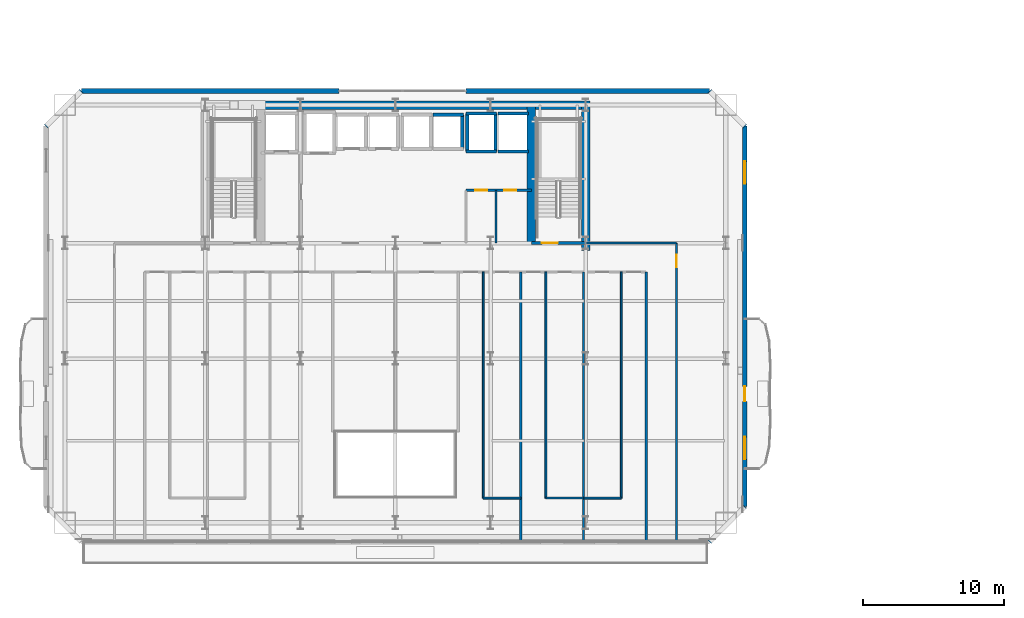
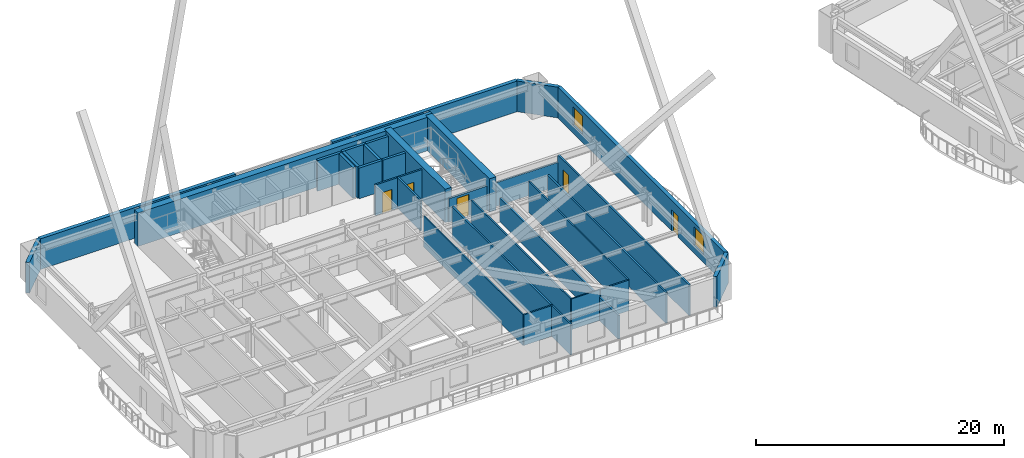
# One storey, part 12 of 22: 31 walls, 5 doors, 2 windows, 7 openings.
"""IFC4 building model written with IfcOpenShell, lengths in metres."""

from ifc_helpers import new_model, si_unit, direction, frame, frame_2d, origin, place, context, subcontext, project, spatial, rectangle, extrude, material, layer, layer_set, type_object, element, fill, save


model = new_model("IFC4")

# Units and contexts
model_context = context("Model", 3, precision=1e-05, world=origin(), true_north=direction((0.0, 1.0)))
body_context = subcontext(model_context, "Body", "Model", "MODEL_VIEW")
ifc_project = project(units=[si_unit("LENGTHUNIT", "METRE"), si_unit("AREAUNIT", "SQUARE_METRE"), si_unit("VOLUMEUNIT", "CUBIC_METRE"), si_unit("PLANEANGLEUNIT", "RADIAN"), si_unit("MASSUNIT", "GRAM", prefix="KILO")], contexts=[model_context])

# Site, building, storey
site_placement = place(None, origin())
site = spatial("IfcSite", under=ifc_project, at=site_placement, CompositionType="ELEMENT")
building_placement = place(site_placement, origin())
building = spatial("IfcBuilding", under=site, at=building_placement, Name="Haevon Station Towers", CompositionType="ELEMENT")
storey_placement = place(building_placement, frame((0.0, 0.0, 70.199951171875)))
storey = spatial("IfcBuildingStorey", under=building, at=storey_placement, Name="L18", CompositionType="ELEMENT", Elevation=70.199951171875)

# Wall, opening, door
ifc_material_1 = material(Name="Gypsum board on steel stud", Category="steel")
ifc_layer_1 = layer(ifc_material_1, 0.199951171875)
ifc_layer_set_1 = layer_set([ifc_layer_1], Name="Gypsum board on steel stud")
wall_type_1 = type_object("IfcWallType", Name="WL-COR200", PredefinedType="PARTITIONING", material=ifc_layer_set_1)
wall_1_placement = place(storey_placement, frame((47.14990234375, 38.199951171875, 0.0), z_axis=(0.0, 0.0, 1.0), x_axis=(1.0, 0.0, 0.0)))
wall_1 = element("IfcWall", 1, at=wall_1_placement, inside=storey, type_object=wall_type_1, Name="WL-ST-ST2-L18", PredefinedType="PARTITIONING", context=body_context, shape_type="SweptSolid", body=[
    extrude(rectangle(XDim=3.85009765625, YDim=0.199951171875, at=frame_2d((1.925048828125, 0.0))), origin(), (0.0, 0.0, 1.0), 2.330078125),
])
opening_1_placement = place(wall_1_placement, frame((0.75, 0.0, 0.0)))
opening_1 = element("IfcOpeningElement", 2, at=opening_1_placement, cuts=wall_1, Name="Opening DR-ST-ST2-L18", PredefinedType="OPENING", context=body_context, shape_type="SweptSolid", body=[
    extrude(rectangle(XDim=1.1201171875, YDim=2.10009765625, at=frame_2d((0.56005859375, 1.050048828125))), frame((0.0, 0.10986328125, 0.0), z_axis=(0.0, -1.0, 0.0), x_axis=(1.0, 0.0, 0.0)), (0.0, 0.0, 1.0), 0.219970703125),
])
ifc_material_2 = material(Name="Engineered oak timber", Category="wood")
door_type_1 = type_object("IfcDoorType", Name="DR-ST-1120", OperationType="NOTDEFINED", PredefinedType="DOOR", material=ifc_material_2)
door_1_placement = place(opening_1_placement, origin())
door_1 = element("IfcDoor", 3, at=door_1_placement, inside=storey, type_object=door_type_1, Name="L18 Escape Stair ST2 Fire Door", OperationType="SINGLE_SWING_LEFT", OverallHeight=2.10009765625, OverallWidth=1.1201171875, PredefinedType="DOOR", context=body_context, shape_type="SweptSolid", body=[
    extrude(rectangle(XDim=1.1201171875, YDim=2.10009765625, at=frame_2d((0.56005859375, 1.050048828125))), frame((0.0, 0.02490234375, 0.0), z_axis=(0.0, -1.0, 0.0), x_axis=(1.0, 0.0, 0.0)), (0.0, 0.0, 1.0), 0.050048828125),
])
fill(opening_1, door_1)

# Walls
ifc_material_3 = material(Name="Concrete C60/75", Category="concrete")
ifc_layer_2 = layer(ifc_material_3, 0.60009765625)
ifc_layer_set_2 = layer_set([ifc_layer_2], Name="Concrete C60/75")
wall_type_2 = type_object("IfcWallType", Name="WL-CR600", PredefinedType="SHEAR", material=ifc_layer_set_2)
wall_2_placement = place(storey_placement, frame((23.699951171875, 48.0, 0.0), z_axis=(0.0, 0.0, 1.0), x_axis=(1.0, 0.0, 0.0)))
element("IfcWall", 4, at=wall_2_placement, inside=storey, type_object=wall_type_2, Name="WL-T1CR-L18-N", PredefinedType="SHEAR", context=body_context, shape_type="SweptSolid", body=[
    extrude(rectangle(XDim=27.60009765625, YDim=0.60009765625, at=frame_2d((13.800048828125, 0.0))), origin(), (0.0, 0.0, 1.0), 3.300048828125),
])
wall_3_placement = place(storey_placement, frame((51.0, 37.679931640625, 0.0), z_axis=(0.0, 0.0, 1.0), x_axis=(0.0, 1.0, 0.0)))
element("IfcWall", 5, at=wall_3_placement, inside=storey, type_object=wall_type_2, Name="WL-T1CR-L18-E", PredefinedType="SHEAR", context=body_context, shape_type="SweptSolid", body=[
    extrude(rectangle(XDim=10.320068359375, YDim=0.60009765625, at=frame_2d((5.16015625, 0.0))), origin(), (0.0, 0.0, 1.0), 3.300048828125),
])
wall_4_placement = place(storey_placement, frame((47.14990234375, 38.199951171875, 0.0), z_axis=(0.0, 0.0, 1.0), x_axis=(0.0, 1.0, 0.0)))
element("IfcWall", 6, at=wall_4_placement, inside=storey, type_object=wall_type_2, Name="WL-T1CR-L18-M2", PredefinedType="SHEAR", context=body_context, shape_type="SweptSolid", body=[
    extrude(rectangle(XDim=9.800048828125, YDim=0.60009765625, at=frame_2d((4.89990234375, 0.0))), origin(), (0.0, 0.0, 1.0), 3.300048828125),
])
ifc_material_4 = material(Name="Precast concrete C45/55", Category="concrete")
ifc_layer_3 = layer(ifc_material_4, 0.340087890625)
ifc_layer_set_3 = layer_set([ifc_layer_3], Name="Precast concrete C45/55")
wall_type_3 = type_object("IfcWallType", Name="WL-EXT-PIER340", PredefinedType="SOLIDWALL", material=ifc_layer_set_3)
wall_5_placement = place(storey_placement, frame((12.699951171875, 46.5, 0.0), z_axis=(0.0, 0.0, 1.0), x_axis=(0.707106781187, 0.707106781187, 0.0)))
element("IfcWall", 7, at=wall_5_placement, inside=storey, type_object=wall_type_3, Name="WL-T1-L18-NWC", PredefinedType="SOLIDWALL", context=body_context, shape_type="SweptSolid", body=[
    extrude(rectangle(XDim=3.53564453125, YDim=0.340087890625, at=frame_2d((1.767822265625, 0.0))), origin(), (0.0, 0.0, 1.0), 3.030029296875),
])
wall_6_placement = place(storey_placement, frame((15.199951171875, 49.0, 0.0), z_axis=(0.0, 0.0, 1.0), x_axis=(1.0, 0.0, 0.0)))
element("IfcWall", 8, at=wall_6_placement, inside=storey, type_object=wall_type_3, Name="WL-T1-L18-N1", PredefinedType="SOLIDWALL", context=body_context, shape_type="SweptSolid", body=[
    extrude(rectangle(XDim=18.300048828125, YDim=0.340087890625, at=frame_2d((9.14990234375, 0.0))), origin(), (0.0, 0.0, 1.0), 3.030029296875),
])
wall_7_placement = place(storey_placement, frame((42.5, 49.0, 0.0), z_axis=(0.0, 0.0, 1.0), x_axis=(1.0, 0.0, 0.0)))
element("IfcWall", 9, at=wall_7_placement, inside=storey, type_object=wall_type_3, Name="WL-T1-L18-N2", PredefinedType="SOLIDWALL", context=body_context, shape_type="SweptSolid", body=[
    extrude(rectangle(XDim=17.300048828125, YDim=0.340087890625, at=frame_2d((8.64990234375, 0.0))), origin(), (0.0, 0.0, 1.0), 3.030029296875),
])
wall_8_placement = place(storey_placement, frame((59.800048828125, 49.0, 0.0), z_axis=(0.0, 0.0, 1.0), x_axis=(0.707106781187, -0.707106781187, 0.0)))
element("IfcWall", 10, at=wall_8_placement, inside=storey, type_object=wall_type_3, Name="WL-T1-L18-NEC", PredefinedType="SOLIDWALL", context=body_context, shape_type="SweptSolid", body=[
    extrude(rectangle(XDim=3.53564453125, YDim=0.340087890625, at=frame_2d((1.767822265625, 0.0))), origin(), (0.0, 0.0, 1.0), 3.030029296875),
])

# Wall, openings, door, windows
wall_9_placement = place(storey_placement, frame((62.300048828125, 46.5, 0.0), z_axis=(0.0, 0.0, 1.0), x_axis=(0.0, -1.0, 0.0)))
wall_9 = element("IfcWall", 11, at=wall_9_placement, inside=storey, type_object=wall_type_3, Name="WL-T1-L18-E", PredefinedType="SOLIDWALL", context=body_context, shape_type="SweptSolid", body=[
    extrude(rectangle(XDim=27.0, YDim=0.340087890625, at=frame_2d((13.5, 0.0))), origin(), (0.0, 0.0, 1.0), 3.030029296875),
])
opening_2_placement = place(wall_9_placement, frame((18.47509765625, 0.0, 0.0)))
opening_2 = element("IfcOpeningElement", 12, at=opening_2_placement, cuts=wall_9, Name="Opening DR-T1-SCAL-L18-E", PredefinedType="OPENING", context=body_context, shape_type="SweptSolid", body=[
    extrude(rectangle(XDim=1.050048828125, YDim=2.10009765625, at=frame_2d((0.52490234375, 1.050048828125))), frame((0.0, 0.179931640625, 0.0), z_axis=(0.0, -1.0, 0.0), x_axis=(1.0, 0.0, 0.0)), (0.0, 0.0, 1.0), 0.360107421875),
])
opening_3_placement = place(wall_9_placement, frame((2.5, 0.0, 0.800048828125)))
opening_3 = element("IfcOpeningElement", 13, at=opening_3_placement, cuts=wall_9, Name="Opening WN-END160", PredefinedType="OPENING", context=body_context, shape_type="SweptSolid", body=[
    extrude(rectangle(XDim=1.60009765625, YDim=1.800048828125, at=frame_2d((0.800048828125, 0.89990234375))), frame((0.0, 0.179931640625, 0.0), z_axis=(0.0, -1.0, 0.0), x_axis=(1.0, 0.0, 0.0)), (0.0, 0.0, 1.0), 0.360107421875),
])
opening_4_placement = place(wall_9_placement, frame((22.050048828125, 0.0, 0.800048828125)))
opening_4 = element("IfcOpeningElement", 14, at=opening_4_placement, cuts=wall_9, Name="Opening WN-END160", PredefinedType="OPENING", context=body_context, shape_type="SweptSolid", body=[
    extrude(rectangle(XDim=1.60009765625, YDim=1.800048828125, at=frame_2d((0.800048828125, 0.89990234375))), frame((0.0, 0.179931640625, 0.0), z_axis=(0.0, -1.0, 0.0), x_axis=(1.0, 0.0, 0.0)), (0.0, 0.0, 1.0), 0.360107421875),
])
ifc_material_5 = material(Name="Thermally broken anodised aluminium and laminated safety glass", Category="aluminium")
door_type_2 = type_object("IfcDoorType", Name="DR-BALC-1050", OperationType="NOTDEFINED", PredefinedType="DOOR", material=ifc_material_5)
door_2_placement = place(opening_2_placement, origin())
door_2 = element("IfcDoor", 15, at=door_2_placement, inside=storey, type_object=door_type_2, Name="Tower 1 L18 East Scalloped Balcony Door", OperationType="SINGLE_SWING_LEFT", OverallHeight=2.10009765625, OverallWidth=1.050048828125, PredefinedType="DOOR", context=body_context, shape_type="SweptSolid", body=[
    extrude(rectangle(XDim=1.050048828125, YDim=2.10009765625, at=frame_2d((0.52490234375, 1.050048828125))), frame((0.0, 0.02490234375, 0.0), z_axis=(0.0, -1.0, 0.0), x_axis=(1.0, 0.0, 0.0)), (0.0, 0.0, 1.0), 0.050048828125),
])
fill(opening_2, door_2)
ifc_material_6 = material(Name="Low-E triple glazing in thermally broken aluminium", Category="aluminium")
window_type = type_object("IfcWindowType", Name="WN-END160", PartitioningType="SINGLE_PANEL", PredefinedType="WINDOW", material=ifc_material_6)
window_1_placement = place(opening_3_placement, origin())
window_1 = element("IfcWindow", 16, at=window_1_placement, inside=storey, type_object=window_type, Name="WN-T1-L18-E01", OverallHeight=1.800048828125, OverallWidth=1.60009765625, PartitioningType="SINGLE_PANEL", PredefinedType="WINDOW", context=body_context, shape_type="SweptSolid", body=[
    extrude(rectangle(XDim=1.60009765625, YDim=1.800048828125, at=frame_2d((0.800048828125, 0.89990234375))), frame((0.0, 0.030029296875, 0.0), z_axis=(0.0, -1.0, 0.0), x_axis=(1.0, 0.0, 0.0)), (0.0, 0.0, 1.0), 0.06005859375),
])
fill(opening_3, window_1)
window_2_placement = place(opening_4_placement, origin())
window_2 = element("IfcWindow", 17, at=window_2_placement, inside=storey, type_object=window_type, Name="WN-T1-L18-E02", OverallHeight=1.800048828125, OverallWidth=1.60009765625, PartitioningType="SINGLE_PANEL", PredefinedType="WINDOW", context=body_context, shape_type="SweptSolid", body=[
    extrude(rectangle(XDim=1.60009765625, YDim=1.800048828125, at=frame_2d((0.800048828125, 0.89990234375))), frame((0.0, 0.030029296875, 0.0), z_axis=(0.0, -1.0, 0.0), x_axis=(1.0, 0.0, 0.0)), (0.0, 0.0, 1.0), 0.06005859375),
])
fill(opening_4, window_2)

# Walls
wall_10_placement = place(storey_placement, frame((62.300048828125, 19.5, 0.0), z_axis=(0.0, 0.0, 1.0), x_axis=(-0.707106781187, -0.707106781187, 0.0)))
element("IfcWall", 18, at=wall_10_placement, inside=storey, type_object=wall_type_3, Name="WL-T1-L18-SEC", PredefinedType="SOLIDWALL", context=body_context, shape_type="SweptSolid", body=[
    extrude(rectangle(XDim=3.53564453125, YDim=0.340087890625, at=frame_2d((1.767822265625, 0.0))), origin(), (0.0, 0.0, 1.0), 3.030029296875),
])
ifc_layer_4 = layer(ifc_material_1, 0.125)
ifc_layer_set_4 = layer_set([ifc_layer_4], Name="Gypsum board on steel stud")
wall_type_4 = type_object("IfcWallType", Name="WL-PRT125", PredefinedType="PARTITIONING", material=ifc_layer_set_4)
wall_11_placement = place(storey_placement, frame((43.72998046875, 20.10009765625, 0.0), z_axis=(0.0, 0.0, 1.0), x_axis=(0.0, 1.0, 0.0)))
element("IfcWall", 19, at=wall_11_placement, inside=storey, type_object=wall_type_4, Name="WL-T1PT-L18-23", PredefinedType="PARTITIONING", context=body_context, shape_type="SweptSolid", body=[
    extrude(rectangle(XDim=16.0498046875, YDim=0.125, at=frame_2d((8.02490234375, 0.0))), origin(), (0.0, 0.0, 1.0), 3.030029296875),
])
wall_12_placement = place(storey_placement, frame((48.179931640625, 20.10009765625, 0.0), z_axis=(0.0, 0.0, 1.0), x_axis=(1.0, 0.0, 0.0)))
element("IfcWall", 20, at=wall_12_placement, inside=storey, type_object=wall_type_4, Name="WL-T1PT-L18-25", PredefinedType="PARTITIONING", context=body_context, shape_type="SweptSolid", body=[
    extrude(rectangle(XDim=2.670166015625, YDim=0.125, at=frame_2d((1.3349609375, 0.0))), origin(), (0.0, 0.0, 1.0), 3.030029296875),
])
wall_13_placement = place(storey_placement, frame((53.52001953125, 20.10009765625, 0.0), z_axis=(0.0, 0.0, 1.0), x_axis=(0.0, 1.0, 0.0)))
element("IfcWall", 21, at=wall_13_placement, inside=storey, type_object=wall_type_4, Name="WL-T1PT-L18-29", PredefinedType="PARTITIONING", context=body_context, shape_type="SweptSolid", body=[
    extrude(rectangle(XDim=16.0498046875, YDim=0.125, at=frame_2d((8.02490234375, 0.0))), origin(), (0.0, 0.0, 1.0), 3.030029296875),
])
ifc_layer_5 = layer(ifc_material_1, 0.139892578125)
ifc_layer_set_5 = layer_set([ifc_layer_5], Name="Gypsum board on steel stud")
wall_type_5 = type_object("IfcWallType", Name="WL-PRT140", PredefinedType="PARTITIONING", material=ifc_layer_set_5)
wall_14_placement = place(storey_placement, frame((43.72998046875, 20.10009765625, 0.0), z_axis=(0.0, 0.0, 1.0), x_axis=(1.0, 0.0, 0.0)))
element("IfcWall", 22, at=wall_14_placement, inside=storey, type_object=wall_type_5, Name="WL-T1PT-L18-22", PredefinedType="PARTITIONING", context=body_context, shape_type="SweptSolid", body=[
    extrude(rectangle(XDim=2.669921875, YDim=0.139892578125, at=frame_2d((1.3349609375, 0.0))), origin(), (0.0, 0.0, 1.0), 3.030029296875),
])
wall_15_placement = place(storey_placement, frame((48.179931640625, 20.10009765625, 0.0), z_axis=(0.0, 0.0, 1.0), x_axis=(0.0, 1.0, 0.0)))
element("IfcWall", 23, at=wall_15_placement, inside=storey, type_object=wall_type_5, Name="WL-T1PT-L18-26", PredefinedType="PARTITIONING", context=body_context, shape_type="SweptSolid", body=[
    extrude(rectangle(XDim=16.0498046875, YDim=0.139892578125, at=frame_2d((8.02490234375, 0.0))), origin(), (0.0, 0.0, 1.0), 3.030029296875),
])
wall_16_placement = place(storey_placement, frame((50.85009765625, 20.10009765625, 0.0), z_axis=(0.0, 0.0, 1.0), x_axis=(1.0, 0.0, 0.0)))
element("IfcWall", 24, at=wall_16_placement, inside=storey, type_object=wall_type_5, Name="WL-T1PT-L18-28", PredefinedType="PARTITIONING", context=body_context, shape_type="SweptSolid", body=[
    extrude(rectangle(XDim=2.669921875, YDim=0.139892578125, at=frame_2d((1.3349609375, 0.0))), origin(), (0.0, 0.0, 1.0), 3.030029296875),
])
ifc_layer_6 = layer(ifc_material_1, 0.159912109375)
ifc_layer_set_6 = layer_set([ifc_layer_6], Name="Gypsum board on steel stud")
wall_type_6 = type_object("IfcWallType", Name="WL-PRT160", PredefinedType="PARTITIONING", material=ifc_layer_set_6)
wall_17_placement = place(storey_placement, frame((44.6298828125, 38.199951171875, 0.0), z_axis=(0.0, 0.0, 1.0), x_axis=(0.0, 1.0, 0.0)))
element("IfcWall", 25, at=wall_17_placement, inside=storey, type_object=wall_type_6, Name="WL-T1CW-L18-02", PredefinedType="PARTITIONING", context=body_context, shape_type="SweptSolid", body=[
    extrude(rectangle(XDim=3.75, YDim=0.159912109375, at=frame_2d((1.875, 0.0))), origin(), (0.0, 0.0, 1.0), 3.030029296875),
])

# Wall, openings, doors
wall_18_placement = place(storey_placement, frame((42.5, 41.949951171875, 0.0), z_axis=(0.0, 0.0, 1.0), x_axis=(1.0, 0.0, 0.0)))
wall_18 = element("IfcWall", 26, at=wall_18_placement, inside=storey, type_object=wall_type_6, Name="WL-T1CW-L18-03", PredefinedType="PARTITIONING", context=body_context, shape_type="SweptSolid", body=[
    extrude(rectangle(XDim=4.64990234375, YDim=0.159912109375, at=frame_2d((2.324951171875, 0.0))), origin(), (0.0, 0.0, 1.0), 3.030029296875),
])
opening_5_placement = place(wall_18_placement, frame((0.659912109375, 0.0, 0.0)))
opening_5 = element("IfcOpeningElement", 27, at=opening_5_placement, cuts=wall_18, Name="Opening DR-WL-T1CW-L18-03-1", PredefinedType="OPENING", context=body_context, shape_type="SweptSolid", body=[
    extrude(rectangle(XDim=0.85009765625, YDim=2.050048828125, at=frame_2d((0.425048828125, 1.02490234375))), frame((0.0, 0.08984375, 0.0), z_axis=(0.0, -1.0, 0.0), x_axis=(1.0, 0.0, 0.0)), (0.0, 0.0, 1.0), 0.179931640625),
])
opening_6_placement = place(wall_18_placement, frame((2.72998046875, 0.0, 0.0)))
opening_6 = element("IfcOpeningElement", 28, at=opening_6_placement, cuts=wall_18, Name="Opening DR-WL-T1CW-L18-03-2", PredefinedType="OPENING", context=body_context, shape_type="SweptSolid", body=[
    extrude(rectangle(XDim=0.85009765625, YDim=2.050048828125, at=frame_2d((0.425048828125, 1.02490234375))), frame((0.0, 0.08984375, 0.0), z_axis=(0.0, -1.0, 0.0), x_axis=(1.0, 0.0, 0.0)), (0.0, 0.0, 1.0), 0.179931640625),
])
door_type_3 = type_object("IfcDoorType", Name="DR-FD30-850", OperationType="NOTDEFINED", PredefinedType="DOOR", material=ifc_material_2)
door_3_placement = place(opening_5_placement, origin())
door_3 = element("IfcDoor", 29, at=door_3_placement, inside=storey, type_object=door_type_3, Name="L18 Tower 1 Core Room Door 3-1", OperationType="SINGLE_SWING_RIGHT", OverallHeight=2.050048828125, OverallWidth=0.85009765625, PredefinedType="DOOR", context=body_context, shape_type="SweptSolid", body=[
    extrude(rectangle(XDim=0.85009765625, YDim=2.050048828125, at=frame_2d((0.425048828125, 1.02490234375))), frame((0.0, 0.02490234375, 0.0), z_axis=(0.0, -1.0, 0.0), x_axis=(1.0, 0.0, 0.0)), (0.0, 0.0, 1.0), 0.050048828125),
])
fill(opening_5, door_3)
door_4_placement = place(opening_6_placement, origin())
door_4 = element("IfcDoor", 30, at=door_4_placement, inside=storey, type_object=door_type_3, Name="L18 Tower 1 Core Room Door 3-2", OperationType="SINGLE_SWING_LEFT", OverallHeight=2.050048828125, OverallWidth=0.85009765625, PredefinedType="DOOR", context=body_context, shape_type="SweptSolid", body=[
    extrude(rectangle(XDim=0.85009765625, YDim=2.050048828125, at=frame_2d((0.425048828125, 1.02490234375))), frame((0.0, 0.02490234375, 0.0), z_axis=(0.0, -1.0, 0.0), x_axis=(1.0, 0.0, 0.0)), (0.0, 0.0, 1.0), 0.050048828125),
])
fill(opening_6, door_4)

# Walls
wall_19_placement = place(storey_placement, frame((55.300048828125, 17.0, 0.0), z_axis=(0.0, 0.0, 1.0), x_axis=(0.0, 1.0, 0.0)))
element("IfcWall", 31, at=wall_19_placement, inside=storey, type_object=wall_type_6, Name="WL-T1PT-L18-02", PredefinedType="PARTITIONING", context=body_context, shape_type="SweptSolid", body=[
    extrude(rectangle(XDim=19.14990234375, YDim=0.159912109375, at=frame_2d((9.574951171875, 0.0))), origin(), (0.0, 0.0, 1.0), 3.030029296875),
])
wall_20_placement = place(storey_placement, frame((51.0, 38.199951171875, 0.0), z_axis=(0.0, 0.0, 1.0), x_axis=(1.0, 0.0, 0.0)))
element("IfcWall", 32, at=wall_20_placement, inside=storey, type_object=wall_type_6, Name="WL-T1PT-L18-04", PredefinedType="PARTITIONING", context=body_context, shape_type="SweptSolid", body=[
    extrude(rectangle(XDim=6.449951171875, YDim=0.159912109375, at=frame_2d((3.22509765625, 0.0))), origin(), (0.0, 0.0, 1.0), 2.330078125),
])

# Wall, opening, door
wall_21_placement = place(storey_placement, frame((57.449951171875, 17.0, 0.0), z_axis=(0.0, 0.0, 1.0), x_axis=(0.0, 1.0, 0.0)))
wall_21 = element("IfcWall", 33, at=wall_21_placement, inside=storey, type_object=wall_type_6, Name="WL-T1PT-L18-06", PredefinedType="PARTITIONING", context=body_context, shape_type="SweptSolid", body=[
    extrude(rectangle(XDim=21.199951171875, YDim=0.159912109375, at=frame_2d((10.60009765625, 0.0))), origin(), (0.0, 0.0, 1.0), 3.030029296875),
])
opening_7_placement = place(wall_21_placement, frame((19.469970703125, 0.0, 0.0)))
opening_7 = element("IfcOpeningElement", 34, at=opening_7_placement, cuts=wall_21, Name="Opening DR-WL-T1PT-L18-06-01", PredefinedType="OPENING", context=body_context, shape_type="SweptSolid", body=[
    extrude(rectangle(XDim=0.89990234375, YDim=2.050048828125, at=frame_2d((0.449951171875, 1.02490234375))), frame((0.0, 0.08984375, 0.0), z_axis=(0.0, -1.0, 0.0), x_axis=(1.0, 0.0, 0.0)), (0.0, 0.0, 1.0), 0.179931640625),
])
door_type_4 = type_object("IfcDoorType", Name="DR-INT-900", OperationType="NOTDEFINED", PredefinedType="DOOR", material=ifc_material_2)
door_5_placement = place(opening_7_placement, origin())
door_5 = element("IfcDoor", 35, at=door_5_placement, inside=storey, type_object=door_type_4, Name="L18 Tower 1 Room Door 6-1", OperationType="SINGLE_SWING_LEFT", OverallHeight=2.050048828125, OverallWidth=0.89990234375, PredefinedType="DOOR", context=body_context, shape_type="SweptSolid", body=[
    extrude(rectangle(XDim=0.89990234375, YDim=2.050048828125, at=frame_2d((0.449951171875, 1.02490234375))), frame((0.0, 0.02490234375, 0.0), z_axis=(0.0, -1.0, 0.0), x_axis=(1.0, 0.0, 0.0)), (0.0, 0.0, 1.0), 0.050048828125),
])
fill(opening_7, door_5)

# Walls
wall_22_placement = place(storey_placement, frame((46.39990234375, 17.0, 0.0), z_axis=(0.0, 0.0, 1.0), x_axis=(0.0, 1.0, 0.0)))
element("IfcWall", 36, at=wall_22_placement, inside=storey, type_object=wall_type_6, Name="WL-T1PT-L18-24", PredefinedType="PARTITIONING", context=body_context, shape_type="SweptSolid", body=[
    extrude(rectangle(XDim=19.14990234375, YDim=0.159912109375, at=frame_2d((9.574951171875, 0.0))), origin(), (0.0, 0.0, 1.0), 3.030029296875),
])
wall_23_placement = place(storey_placement, frame((50.85009765625, 17.0, 0.0), z_axis=(0.0, 0.0, 1.0), x_axis=(0.0, 1.0, 0.0)))
element("IfcWall", 37, at=wall_23_placement, inside=storey, type_object=wall_type_6, Name="WL-T1PT-L18-27", PredefinedType="PARTITIONING", context=body_context, shape_type="SweptSolid", body=[
    extrude(rectangle(XDim=19.14990234375, YDim=0.159912109375, at=frame_2d((9.574951171875, 0.0))), origin(), (0.0, 0.0, 1.0), 2.330078125),
])
ifc_material_7 = material(Name="Concrete C40/50", Category="concrete")
ifc_layer_7 = layer(ifc_material_7, 0.239990234375)
ifc_layer_set_7 = layer_set([ifc_layer_7], Name="Concrete C40/50")
wall_type_7 = type_object("IfcWallType", Name="WL-SHF240", PredefinedType="PARTITIONING", material=ifc_layer_set_7)
wall_24_placement = place(storey_placement, frame((40.169921875, 47.300048828125, 0.0), z_axis=(0.0, 0.0, 1.0), x_axis=(1.0, 0.0, 0.0)))
element("IfcWall", 38, at=wall_24_placement, inside=storey, type_object=wall_type_7, Name="WL-SHF-PL4-L18-N", PredefinedType="PARTITIONING", context=body_context, shape_type="SweptSolid", body=[
    extrude(rectangle(XDim=2.16015625, YDim=0.239990234375, at=frame_2d((1.080078125, 0.0))), origin(), (0.0, 0.0, 1.0), 3.030029296875),
])
wall_25_placement = place(storey_placement, frame((42.25, 44.89990234375, 0.0), z_axis=(0.0, 0.0, 1.0), x_axis=(0.0, 1.0, 0.0)))
element("IfcWall", 39, at=wall_25_placement, inside=storey, type_object=wall_type_7, Name="WL-SHF-PL4-L18-E", PredefinedType="PARTITIONING", context=body_context, shape_type="SweptSolid", body=[
    extrude(rectangle(XDim=2.400146484375, YDim=0.239990234375, at=frame_2d((1.2001953125, 0.0))), origin(), (0.0, 0.0, 1.0), 3.030029296875),
])
for number, where, z_axis, x_axis, name in (
    (40, (42.52001953125, 44.699951171875, 0.0), (0.0, 0.0, 1.0), (1.0, 0.0, 0.0), "WL-SHF-PL5-L18"),
    (41, (42.52001953125, 47.39990234375, 0.0), (0.0, 0.0, 1.0), (1.0, 0.0, 0.0), "WL-SHF-PL5-L18-N"),
):
    element("IfcWall", number, at=place(storey_placement, frame(where, z_axis=z_axis, x_axis=x_axis)), inside=storey, type_object=wall_type_7, Name=name, PredefinedType="PARTITIONING", context=body_context, shape_type="SweptSolid", body=[
        extrude(rectangle(XDim=2.159912109375, YDim=0.239990234375, at=frame_2d((1.080078125, 0.0))), origin(), (0.0, 0.0, 1.0), 3.030029296875),
    ])
for number, where, z_axis, x_axis, name in (
    (42, (42.60009765625, 44.699951171875, 0.0), (0.0, 0.0, 1.0), (0.0, 1.0, 0.0), "WL-SHF-PL5-L18-W"),
    (43, (44.60009765625, 44.699951171875, 0.0), (0.0, 0.0, 1.0), (0.0, 1.0, 0.0), "WL-SHF-PL5-L18-E"),
):
    element("IfcWall", number, at=place(storey_placement, frame(where, z_axis=z_axis, x_axis=x_axis)), inside=storey, type_object=wall_type_7, Name=name, PredefinedType="PARTITIONING", context=body_context, shape_type="SweptSolid", body=[
        extrude(rectangle(XDim=2.699951171875, YDim=0.239990234375, at=frame_2d((1.35009765625, 0.0))), origin(), (0.0, 0.0, 1.0), 3.030029296875),
    ])
for number, where, z_axis, x_axis, name in (
    (44, (44.77001953125, 44.699951171875, 0.0), (0.0, 0.0, 1.0), (1.0, 0.0, 0.0), "WL-SHF-PL6-L18"),
    (45, (44.77001953125, 47.39990234375, 0.0), (0.0, 0.0, 1.0), (1.0, 0.0, 0.0), "WL-SHF-PL6-L18-N"),
):
    element("IfcWall", number, at=place(storey_placement, frame(where, z_axis=z_axis, x_axis=x_axis)), inside=storey, type_object=wall_type_7, Name=name, PredefinedType="PARTITIONING", context=body_context, shape_type="SweptSolid", body=[
        extrude(rectangle(XDim=2.159912109375, YDim=0.239990234375, at=frame_2d((1.080078125, 0.0))), origin(), (0.0, 0.0, 1.0), 3.030029296875),
    ])

save(model, "model.ifc")
